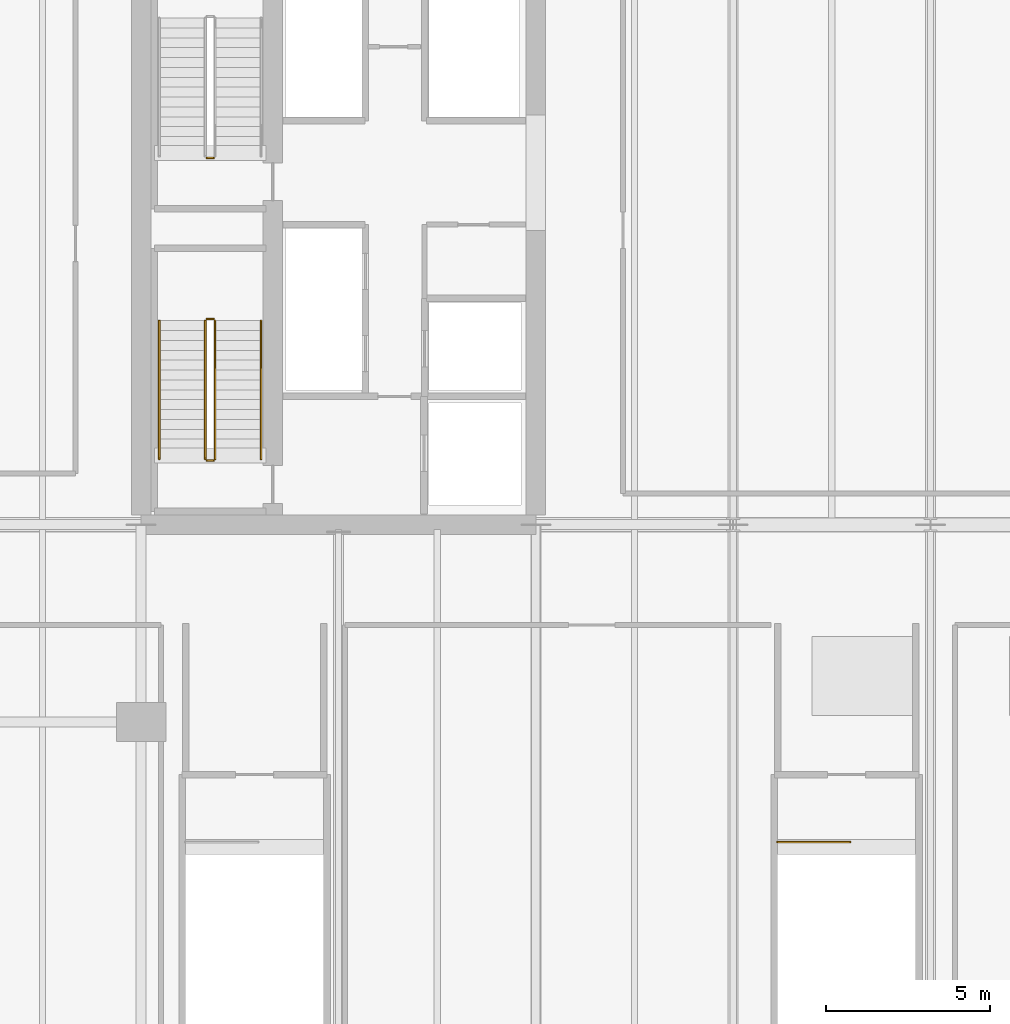
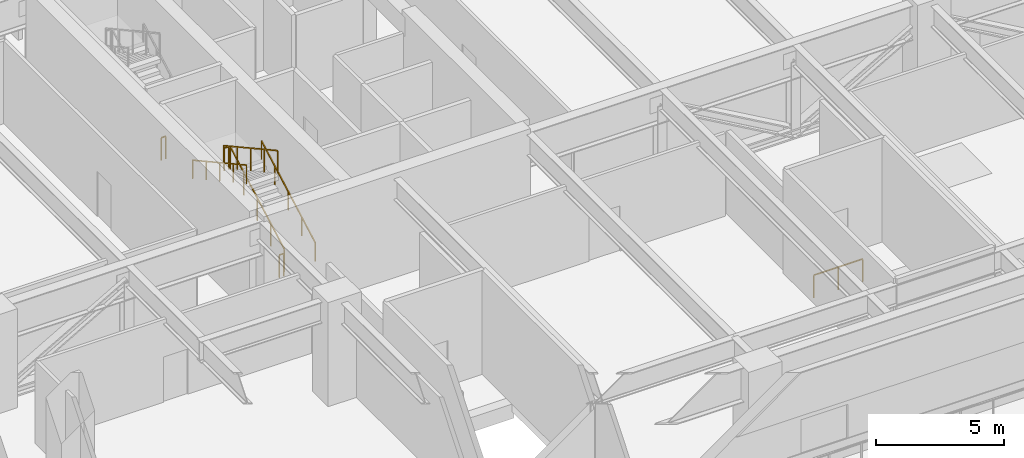
# One storey, part 18 of 25: 8 railings.
"""IFC4 building model written with IfcOpenShell, lengths in metres."""

from ifc_helpers import new_model, si_unit, direction, frame, origin, place, context, subcontext, project, spatial, rectangle, extrude, material, type_object, element, save


model = new_model("IFC4")

# Units and contexts
model_context = context("Model", 3, precision=1e-05, world=origin(), true_north=direction((0.0, 1.0)))
body_context = subcontext(model_context, "Body", "Model", "MODEL_VIEW")
ifc_project = project(units=[si_unit("LENGTHUNIT", "METRE"), si_unit("AREAUNIT", "SQUARE_METRE"), si_unit("VOLUMEUNIT", "CUBIC_METRE"), si_unit("PLANEANGLEUNIT", "RADIAN"), si_unit("MASSUNIT", "GRAM", prefix="KILO")], contexts=[model_context])

# Site, building, storey
site_placement = place(None, origin())
site = spatial("IfcSite", under=ifc_project, at=site_placement, CompositionType="ELEMENT")
building_placement = place(site_placement, origin())
building = spatial("IfcBuilding", under=site, at=building_placement, Name="Tanjung Sevakor Pilgrim Tower", CompositionType="ELEMENT")
storey_placement = place(building_placement, frame((0.0, 0.0, 24.090087890625)))
storey = spatial("IfcBuildingStorey", under=building, at=storey_placement, Name="L06", CompositionType="ELEMENT", Elevation=24.090087890625)

# Railings
ifc_material_1 = material(Name="Steel S355J2", Category="steel")
railing_type_1 = type_object("IfcRailingType", Name="RL-STAIR-GUARD", PredefinedType="GUARDRAIL", material=ifc_material_1)
railing_1_placement = place(storey_placement, frame((26.25, 26.60009765625, 0.164794921875)))
element("IfcRailing", 1, at=railing_1_placement, inside=storey, type_object=railing_type_1, Name="L06 TS-W1 stair guard 1", PredefinedType="GUARDRAIL", context=body_context, shape_type="SweptSolid", body=[
    extrude(rectangle(XDim=0.0479, YDim=0.0479), frame((0.0, 0.0, 1.076171875), z_axis=(0.0, 0.876208380975, 0.481932436249), x_axis=(-1.0, 0.0, 0.0)), (0.0, 0.0, 1.0), 4.793212890625),
    extrude(rectangle(XDim=0.042, YDim=0.042), origin(), (0.0, 0.0, 1.0), 1.052001953125),
    extrude(rectangle(XDim=0.042, YDim=0.042), frame((0.0, 1.050048828125, 0.57763671875)), (0.0, 0.0, 1.0), 1.052001953125),
    extrude(rectangle(XDim=0.042, YDim=0.042), frame((0.0, 2.10009765625, 1.155029296875)), (0.0, 0.0, 1.0), 1.052001953125),
    extrude(rectangle(XDim=0.042, YDim=0.042), frame((0.0, 3.14990234375, 1.732421875)), (0.0, 0.0, 1.0), 1.052001953125),
    extrude(rectangle(XDim=0.042, YDim=0.042), frame((0.0, 4.199951171875, 2.31005859375)), (0.0, 0.0, 1.0), 1.052001953125),
])
railing_2_placement = place(storey_placement, frame((26.199951171875, 30.85009765625, 2.474853515625)))
element("IfcRailing", 2, at=railing_2_placement, inside=storey, type_object=railing_type_1, Name="L06 TS-W1 stair guard 2", PredefinedType="GUARDRAIL", context=body_context, shape_type="SweptSolid", body=[
    extrude(rectangle(XDim=0.0479, YDim=0.0479), frame((0.0, 0.0, 1.076171875), z_axis=(-1.0, 0.0, 0.0), x_axis=(0.0, -1.0, 0.0)), (0.0, 0.0, 1.0), 0.199951171875),
    extrude(rectangle(XDim=0.042, YDim=0.042), origin(), (0.0, 0.0, 1.0), 1.052001953125),
    extrude(rectangle(XDim=0.042, YDim=0.042), frame((-0.199951171875, 0.0, 0.0)), (0.0, 0.0, 1.0), 1.052001953125),
])
railing_3_placement = place(storey_placement, frame((25.949951171875, 30.800048828125, 2.639892578125)))
element("IfcRailing", 3, at=railing_3_placement, inside=storey, type_object=railing_type_1, Name="L06 TS-W1 stair guard 3", PredefinedType="GUARDRAIL", context=body_context, shape_type="SweptSolid", body=[
    extrude(rectangle(XDim=0.0479, YDim=0.0479), frame((0.0, 0.0, 1.076171875), z_axis=(0.0, -0.876208380975, 0.481932436249), x_axis=(1.0, 0.0, 0.0)), (0.0, 0.0, 1.0), 4.793212890625),
    extrude(rectangle(XDim=0.042, YDim=0.042), origin(), (0.0, 0.0, 1.0), 1.052001953125),
    extrude(rectangle(XDim=0.042, YDim=0.042), frame((0.0, -1.050048828125, 0.57763671875)), (0.0, 0.0, 1.0), 1.052001953125),
    extrude(rectangle(XDim=0.042, YDim=0.042), frame((0.0, -2.10009765625, 1.155029296875)), (0.0, 0.0, 1.0), 1.052001953125),
    extrude(rectangle(XDim=0.042, YDim=0.042), frame((0.0, -3.14990234375, 1.732421875)), (0.0, 0.0, 1.0), 1.052001953125),
    extrude(rectangle(XDim=0.042, YDim=0.042), frame((0.0, -4.199951171875, 2.31005859375)), (0.0, 0.0, 1.0), 1.052001953125),
])
for number, where, name in (
    (4, (26.199951171875, 26.550048828125, 0.0), "L06 TS-W1 stair guard 4"),
    (5, (26.199951171875, 35.75, 0.0), "L06 TS-W2 stair guard 4"),
):
    element("IfcRailing", number, at=place(storey_placement, frame(where)), inside=storey, type_object=railing_type_1, Name=name, PredefinedType="GUARDRAIL", context=body_context, shape_type="SweptSolid", body=[
        extrude(rectangle(XDim=0.0479, YDim=0.0479), frame((0.0, 0.0, 1.076171875), z_axis=(-1.0, 0.0, 0.0), x_axis=(0.0, -1.0, 0.0)), (0.0, 0.0, 1.0), 0.199951171875),
        extrude(rectangle(XDim=0.042, YDim=0.042), origin(), (0.0, 0.0, 1.0), 1.052001953125),
        extrude(rectangle(XDim=0.042, YDim=0.042), frame((-0.199951171875, 0.0, 0.0)), (0.0, 0.0, 1.0), 1.052001953125),
    ])
railing_4_placement = place(storey_placement, frame((43.35009765625, 14.949951171875, 0.0)))
element("IfcRailing", 6, at=railing_4_placement, inside=storey, type_object=railing_type_1, Name="L06 PS-3 top well guard 1", PredefinedType="GUARDRAIL", context=body_context, shape_type="SweptSolid", body=[
    extrude(rectangle(XDim=0.0479, YDim=0.0479), frame((0.0, 0.0, 1.076171875), z_axis=(1.0, 0.0, 0.0), x_axis=(0.0, 1.0, 0.0)), (0.0, 0.0, 1.0), 2.199951171875),
    extrude(rectangle(XDim=0.042, YDim=0.042), origin(), (0.0, 0.0, 1.0), 1.052001953125),
    extrude(rectangle(XDim=0.042, YDim=0.042), frame((1.10009765625, 0.0, 0.0)), (0.0, 0.0, 1.0), 1.052001953125),
    extrude(rectangle(XDim=0.042, YDim=0.042), frame((2.199951171875, 0.0, 0.0)), (0.0, 0.0, 1.0), 1.052001953125),
])
ifc_material_2 = material(Name="Steel S355J2", Category="steel")
railing_type_2 = type_object("IfcRailingType", Name="RL-STAIR-HAND", PredefinedType="HANDRAIL", material=ifc_material_2)
railing_5_placement = place(storey_placement, frame((27.64990234375, 26.60009765625, 0.164794921875)))
element("IfcRailing", 7, at=railing_5_placement, inside=storey, type_object=railing_type_2, Name="L06 TS-W1 stair handrail 1", PredefinedType="HANDRAIL", context=body_context, shape_type="SweptSolid", body=[
    extrude(rectangle(XDim=0.0479, YDim=0.0479), frame((0.0, 0.0, 0.8759765625), z_axis=(0.0, 0.876208380975, 0.481932436249), x_axis=(-1.0, 0.0, 0.0)), (0.0, 0.0, 1.0), 4.793212890625),
    extrude(rectangle(XDim=0.042, YDim=0.042), origin(), (0.0, 0.0, 1.0), 0.851806640625),
    extrude(rectangle(XDim=0.042, YDim=0.042), frame((0.0, 1.050048828125, 0.57763671875)), (0.0, 0.0, 1.0), 0.851806640625),
    extrude(rectangle(XDim=0.042, YDim=0.042), frame((0.0, 2.10009765625, 1.155029296875)), (0.0, 0.0, 1.0), 0.851806640625),
    extrude(rectangle(XDim=0.042, YDim=0.042), frame((0.0, 3.14990234375, 1.732421875)), (0.0, 0.0, 1.0), 0.851806640625),
    extrude(rectangle(XDim=0.042, YDim=0.042), frame((0.0, 4.199951171875, 2.31005859375)), (0.0, 0.0, 1.0), 0.851806640625),
])
railing_6_placement = place(storey_placement, frame((24.550048828125, 30.800048828125, 2.639892578125)))
element("IfcRailing", 8, at=railing_6_placement, inside=storey, type_object=railing_type_2, Name="L06 TS-W1 stair handrail 2", PredefinedType="HANDRAIL", context=body_context, shape_type="SweptSolid", body=[
    extrude(rectangle(XDim=0.0479, YDim=0.0479), frame((0.0, 0.0, 0.8759765625), z_axis=(0.0, -0.876208380975, 0.481932436249), x_axis=(1.0, 0.0, 0.0)), (0.0, 0.0, 1.0), 4.793212890625),
    extrude(rectangle(XDim=0.042, YDim=0.042), origin(), (0.0, 0.0, 1.0), 0.851806640625),
    extrude(rectangle(XDim=0.042, YDim=0.042), frame((0.0, -1.050048828125, 0.57763671875)), (0.0, 0.0, 1.0), 0.851806640625),
    extrude(rectangle(XDim=0.042, YDim=0.042), frame((0.0, -2.10009765625, 1.155029296875)), (0.0, 0.0, 1.0), 0.851806640625),
    extrude(rectangle(XDim=0.042, YDim=0.042), frame((0.0, -3.14990234375, 1.732421875)), (0.0, 0.0, 1.0), 0.851806640625),
    extrude(rectangle(XDim=0.042, YDim=0.042), frame((0.0, -4.199951171875, 2.31005859375)), (0.0, 0.0, 1.0), 0.851806640625),
])

save(model, "model.ifc")
